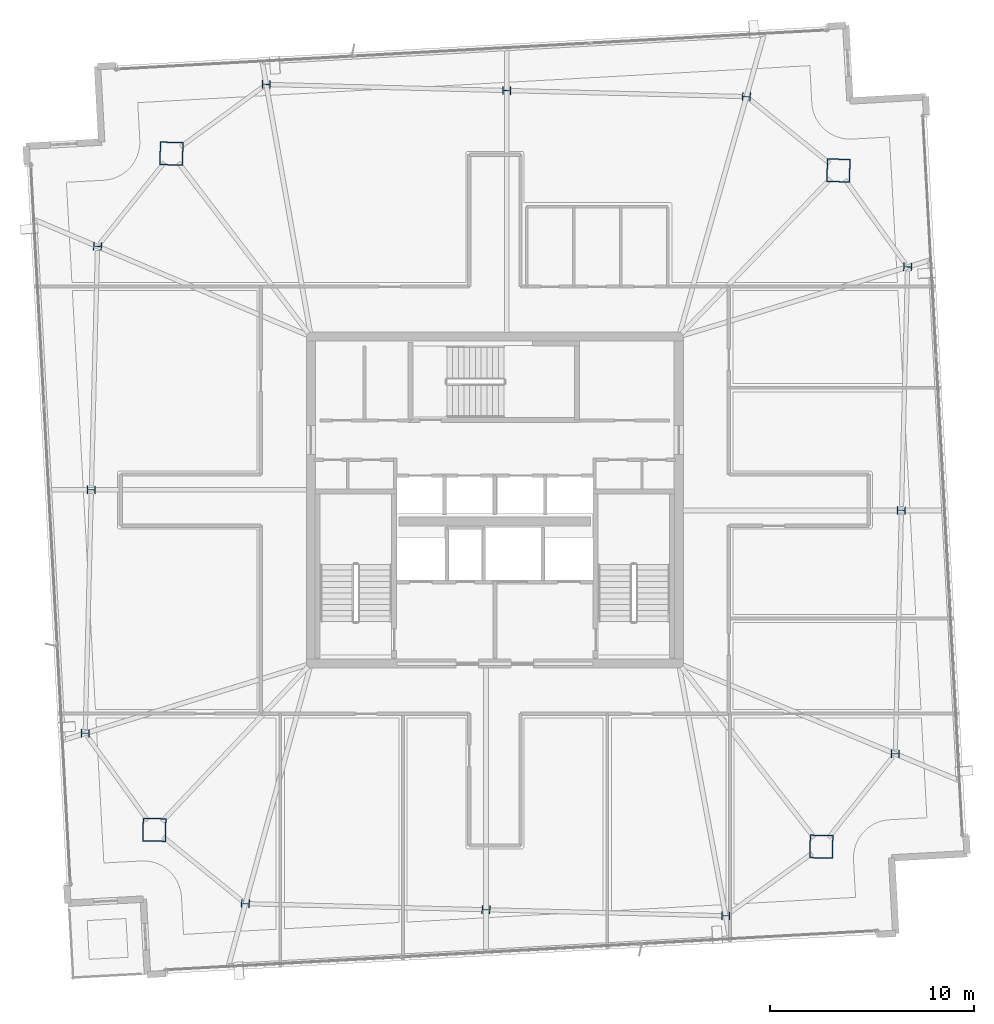
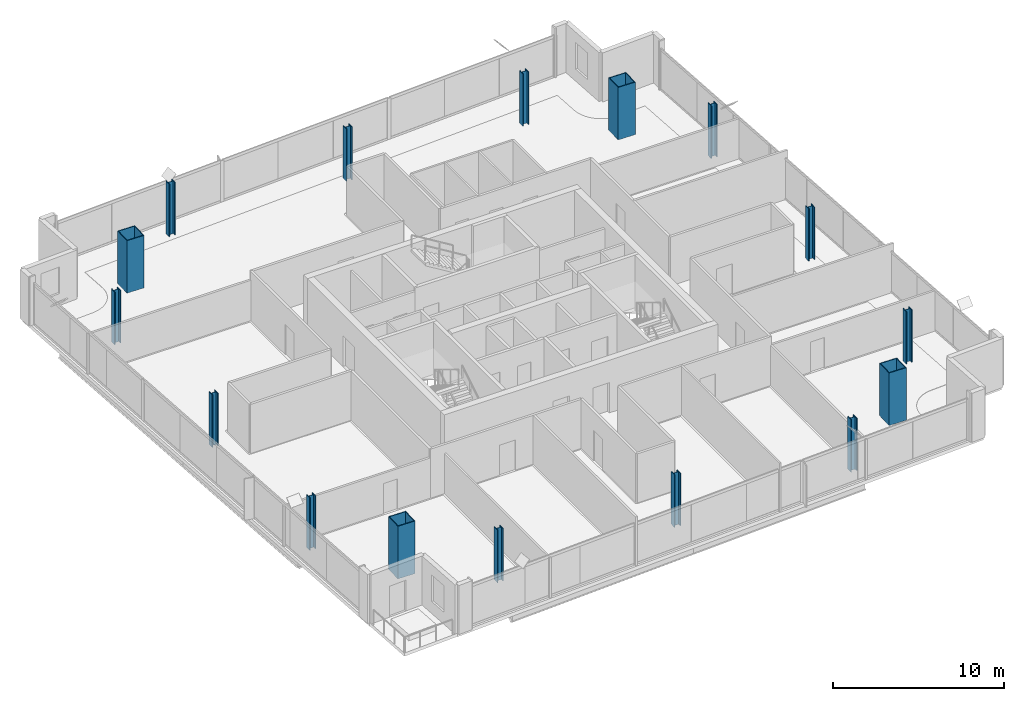
# One storey, part 1 of 23: 16 columns.
"""IFC4 building model written with IfcOpenShell, lengths in metres."""

import ifcopenshell
import ifcopenshell.guid

model = None  # the IFC model being written
_history = None  # IfcOwnerHistory: only IFC2X3 demands one
_inside = {}  # id of a spatial element -> (the spatial element, [elements in it])
_under = {}  # id of a project, library or spatial element -> (it, [spatial elements below it])
_declared = {}  # id of a project -> (the project, [libraries it declares])
_typed = {}  # id of a type object -> (the type object, [elements of that type])
_made_of = {}  # id of a material, layer set ... -> (it, [elements and type objects made of it])


def new_model(schema):
    """Start an empty IFC model of exactly this schema.

    Asked for "IFC4X3", IfcOpenShell would pick the latest addendum, in which some entities
    have other attributes; the version numbers below select the first issue.
    IFC2X3 requires an IfcOwnerHistory on every rooted entity: one is made here for all.
    """
    global model, _history
    if schema == "IFC4X3":
        model = ifcopenshell.file(schema_version=(4, 3, 0, 0))
    else:
        model = ifcopenshell.file(schema=schema)
    _inside.clear()
    _under.clear()
    _declared.clear()
    _typed.clear()
    _made_of.clear()
    _history = None
    if model.schema == "IFC2X3":
        org = make("IfcOrganization", Name="unknown")
        user = make(
            "IfcPersonAndOrganization",
            ThePerson=make("IfcPerson", FamilyName="unknown"),
            TheOrganization=org,
        )
        app = make(
            "IfcApplication",
            ApplicationDeveloper=org,
            Version="unknown",
            ApplicationFullName="unknown",
            ApplicationIdentifier="unknown",
        )
        _history = make(
            "IfcOwnerHistory",
            OwningUser=user,
            OwningApplication=app,
            ChangeAction="ADDED",
            CreationDate=0,
        )
    return model


def make(cls, **values):
    """One entity of the class cls with the attributes given. An attribute that is None is left unset."""
    return model.create_entity(
        cls, **{name: value for name, value in values.items() if value is not None}
    )


def rooted(cls, **values):
    """An entity with a GlobalId (a new one), such as an element, a storey or a relation."""
    return make(cls, GlobalId=ifcopenshell.guid.new(), OwnerHistory=_history, **values)


def si_unit(unit_type, name, prefix=None):
    """IfcSIUnit, for example si_unit("LENGTHUNIT", "METRE", prefix="MILLI")."""
    return make("IfcSIUnit", UnitType=unit_type, Prefix=prefix, Name=name)


def assignment(units):
    """IfcUnitAssignment: the units of a project."""
    return None if units is None else make("IfcUnitAssignment", Units=units)


def point(xyz):
    """IfcCartesianPoint."""
    return None if xyz is None else make("IfcCartesianPoint", Coordinates=xyz)


def direction(xyz):
    """IfcDirection."""
    return None if xyz is None else make("IfcDirection", DirectionRatios=xyz)


def frame(location, z_axis=None, x_axis=None):
    """IfcAxis2Placement3D, a coordinate frame: its origin and axes. An axis left out is left unset."""
    return make(
        "IfcAxis2Placement3D",
        Location=point(location),
        Axis=direction(z_axis),
        RefDirection=direction(x_axis),
    )


def frame_2d(location, x_axis=None):
    """IfcAxis2Placement2D, a coordinate frame in the plane: its origin and x axis."""
    return make(
        "IfcAxis2Placement2D", Location=point(location), RefDirection=direction(x_axis)
    )


def origin():
    """The frame at (0, 0, 0) with its axes left unset."""
    return frame((0.0, 0.0, 0.0))


def origin_2d():
    """The frame at (0, 0) in the plane with its x axis left unset."""
    return frame_2d((0.0, 0.0))


def place(relative_to, where):
    """IfcLocalPlacement: puts the frame where relative to a parent placement (None: the world)."""
    return make(
        "IfcLocalPlacement", PlacementRelTo=relative_to, RelativePlacement=where
    )


def context(
    kind, dimensions, precision=None, world=None, true_north=None, identifier=None
):
    """IfcGeometricRepresentationContext, for example the 3D "Model" context."""
    return make(
        "IfcGeometricRepresentationContext",
        ContextIdentifier=identifier,
        ContextType=kind,
        CoordinateSpaceDimension=dimensions,
        Precision=precision,
        WorldCoordinateSystem=world,
        TrueNorth=true_north,
    )


def subcontext(parent, identifier, kind, view, scale=None):
    """IfcGeometricRepresentationSubContext, for example "Body" below "Model"."""
    return make(
        "IfcGeometricRepresentationSubContext",
        ContextIdentifier=identifier,
        ContextType=kind,
        ParentContext=parent,
        TargetScale=scale,
        TargetView=view,
    )


def project(units=None, contexts=None):
    """IfcProject with its units and contexts."""
    return rooted(
        "IfcProject",
        Name="project",
        RepresentationContexts=contexts,
        UnitsInContext=assignment(units),
    )


def spatial(cls, under=None, at=None, **own):
    """A site, building, storey or space (cls), placed at a placement, below another one or the project."""
    s = rooted(cls, ObjectPlacement=at, **own)
    if under is not None:
        _under.setdefault(under.id(), (under, []))[1].append(s)
    return s


def profile(cls, at=None, kind="AREA", **sizes):
    """A parametric profile (cls). Its sizes go by their IFC names, for example OverallWidth=200.0."""
    return make(cls, ProfileType=kind, Position=at, **sizes)


def hollow_rectangle(**sizes):
    """IfcRectangleHollowProfileDef."""
    return profile("IfcRectangleHollowProfileDef", **sizes)


def i_section(**sizes):
    """IfcIShapeProfileDef."""
    return profile("IfcIShapeProfileDef", **sizes)


def extrude(swept, where, along, depth):
    """IfcExtrudedAreaSolid: the profile swept, set in the frame where, extruded along a direction by depth."""
    return make(
        "IfcExtrudedAreaSolid",
        SweptArea=swept,
        Position=where,
        ExtrudedDirection=direction(along),
        Depth=depth,
    )


def shape(context_of_items, identifier, shape_type, items):
    """IfcShapeRepresentation: the items that make up one representation, for example the "Body"."""
    return make(
        "IfcShapeRepresentation",
        ContextOfItems=context_of_items,
        RepresentationIdentifier=identifier,
        RepresentationType=shape_type,
        Items=items,
    )


def material(Name=None, Category=None):
    """IfcMaterial."""
    return make("IfcMaterial", Name=Name, Category=Category)


def material_profile(
    of_material, cross_section, Name=None, Category=None, Priority=None
):
    """IfcMaterialProfile: a cross section and its material."""
    return make(
        "IfcMaterialProfile",
        Name=Name,
        Material=of_material,
        Profile=cross_section,
        Priority=Priority,
        Category=Category,
    )


def profile_set(profiles, Name=None, composite=None):
    """IfcMaterialProfileSet."""
    return make(
        "IfcMaterialProfileSet",
        Name=Name,
        MaterialProfiles=profiles,
        CompositeProfile=composite,
    )


def made_of(thing, what):
    """Note that an element or type object is made of a material, layer set ...; save() writes the relation."""
    if what is not None:
        _made_of.setdefault(what.id(), (what, []))[1].append(thing)
    return thing


def type_object(cls, material=None, **own):
    """A type object (cls), such as IfcWallType, which elements share."""
    return made_of(rooted(cls, **own), material)


def element(
    cls,
    number,
    at=None,
    inside=None,
    cuts=None,
    type_object=None,
    material=None,
    context=None,
    identifier="Body",
    shape_type=None,
    held_by="IfcProductDefinitionShape",
    body=None,
    shapes=None,
    **own,
):
    """One element of the class cls, such as IfcWall. Its Tag is "e" and its number.

    at: its placement. inside: the storey or other place that contains it. cuts: it is an
    opening in that element (IfcRelVoidsElement). A single representation is given by context,
    identifier, shape_type and body (its items); several are given by shapes. held_by: the class
    of the entity that holds the representations. save() writes the other relations.
    """
    e = rooted(cls, Tag="e%d" % number, ObjectPlacement=at, **own)
    if body is not None:
        shapes = [shape(context, identifier, shape_type, body)]
    if shapes is not None:
        e.Representation = make(held_by, Representations=shapes)
    if inside is not None:
        _inside.setdefault(inside.id(), (inside, []))[1].append(e)
    if cuts is not None:
        rooted(
            "IfcRelVoidsElement", RelatingBuildingElement=cuts, RelatedOpeningElement=e
        )
    if type_object is not None:
        _typed.setdefault(type_object.id(), (type_object, []))[1].append(e)
    return made_of(e, material)


def aggregate(whole, parts):
    """IfcRelAggregates: a whole, such as a stair, and the parts it consists of."""
    return rooted("IfcRelAggregates", RelatingObject=whole, RelatedObjects=parts)


def save(model, path):
    """Write the relations noted so far, then the file.

    IfcRelAggregates (storeys below a building ...), IfcRelContainedInSpatialStructure (elements
    in a storey), IfcRelDefinesByType, IfcRelAssociatesMaterial and IfcRelDeclares: one each for
    every whole, place, type object, material and project.
    """
    for whole, parts in _under.values():
        aggregate(whole, parts)
    for where, things in _inside.values():
        rooted(
            "IfcRelContainedInSpatialStructure",
            RelatedElements=things,
            RelatingStructure=where,
        )
    for kind, things in _typed.values():
        rooted("IfcRelDefinesByType", RelatedObjects=things, RelatingType=kind)
    for what, things in _made_of.values():
        rooted("IfcRelAssociatesMaterial", RelatedObjects=things, RelatingMaterial=what)
    for by, libraries in _declared.values():
        rooted("IfcRelDeclares", RelatingContext=by, RelatedDefinitions=libraries)
    model.write(path)


model = new_model("IFC4")

# Units and contexts
model_context = context("Model", 3, precision=1e-05, world=origin(), true_north=direction((0.0, 1.0)))
body_context = subcontext(model_context, "Body", "Model", "MODEL_VIEW")
ifc_project = project(units=[si_unit("LENGTHUNIT", "METRE"), si_unit("AREAUNIT", "SQUARE_METRE"), si_unit("VOLUMEUNIT", "CUBIC_METRE"), si_unit("PLANEANGLEUNIT", "RADIAN"), si_unit("MASSUNIT", "GRAM", prefix="KILO")], contexts=[model_context])

# Site, building, storey
site_placement = place(None, origin())
site = spatial("IfcSite", under=ifc_project, at=site_placement, CompositionType="ELEMENT")
building_placement = place(site_placement, origin())
building = spatial("IfcBuilding", under=site, at=building_placement, Name="Haldenkirk Collegiate Tower", CompositionType="ELEMENT")
storey_placement = place(building_placement, frame((0.0, 0.0, 340.199951171875)))
storey = spatial("IfcBuildingStorey", under=building, at=storey_placement, Name="L86", CompositionType="ELEMENT", Elevation=340.199951171875)

# Columns
ifc_material_1 = material(Name="Steel ASTM A913 Grade 65", Category="steel")
ifc_material_profile_1 = material_profile(ifc_material_1, i_section(OverallWidth=0.406005859375, OverallDepth=0.416015625, WebThickness=0.02978515625, FlangeThickness=0.048095703125, at=origin_2d()), Name="W14X257")
ifc_profile_set_1 = profile_set([ifc_material_profile_1], Name="Steel ASTM A913 Grade 65")
column_type_1 = type_object("IfcColumnType", Name="COL-INT-W14X257", PredefinedType="COLUMN", material=ifc_profile_set_1)
for number, where, z_axis, x_axis, name in (
    (1, (55.592041015625, 13.584228515625, 0.0), (0.0, 0.0, 1.0), (0.025304572866, 0.999679788028, 0.0), "L86 perimeter gravity column PC-S1"),
    (2, (55.8935546875, 25.496337890625, 0.0), (0.0, 0.0, 1.0), (0.025304572866, 0.999679788028, 0.0), "L86 perimeter gravity column PC-S2"),
    (3, (56.1953125, 37.40869140625, 0.0), (0.0, 0.0, 1.0), (0.025304572866, 0.999679788028, 0.0), "L86 perimeter gravity column PC-S3"),
    (4, (48.3115234375, 45.744873046875, 0.0), (0.0, 0.0, 1.0), (0.025304572866, 0.999679788028, 0.0), "L86 perimeter gravity column PC-E1"),
    (5, (36.582275390625, 46.041748046875, 0.0), (0.0, 0.0, 1.0), (0.025304572866, 0.999679788028, 0.0), "L86 perimeter gravity column PC-E2"),
    (6, (24.81103515625, 46.339599609375, 0.0), (0.0, 0.0, 1.0), (0.025304572866, 0.999679788028, 0.0), "L86 perimeter gravity column PC-E3"),
    (7, (16.557861328125, 38.411865234375, 0.0), (0.0, 0.0, 1.0), (0.025304572866, 0.999679788028, 0.0), "L86 perimeter gravity column PC-N1"),
    (8, (16.25634765625, 26.499755859375, 0.0), (0.0, 0.0, 1.0), (0.025304572866, 0.999679788028, 0.0), "L86 perimeter gravity column PC-N2"),
    (9, (15.954833984375, 14.587646484375, 0.0), (0.0, 0.0, 1.0), (0.025304572866, 0.999679788028, 0.0), "L86 perimeter gravity column PC-N3"),
    (10, (23.79638671875, 6.25244140625, 0.0), (0.0, 0.0, 1.0), (0.025304572866, 0.999679788028, 0.0), "L86 perimeter gravity column PC-W1"),
    (11, (35.567626953125, 5.95458984375, 0.0), (0.0, 0.0, 1.0), (0.025304572866, 0.999679788028, 0.0), "L86 perimeter gravity column PC-W2"),
    (12, (47.296875, 5.65771484375, 0.0), (0.0, 0.0, 1.0), (0.025304572866, 0.999679788028, 0.0), "L86 perimeter gravity column PC-W3"),
):
    element("IfcColumn", number, at=place(storey_placement, frame(where, z_axis=z_axis, x_axis=x_axis)), inside=storey, type_object=column_type_1, Name=name, PredefinedType="COLUMN", context=body_context, shape_type="SweptSolid", body=[
        extrude(i_section(OverallWidth=0.406005859375, OverallDepth=0.416015625, WebThickness=0.02978515625, FlangeThickness=0.048095703125, at=origin_2d()), origin(), (0.0, 0.0, 1.0), 3.75),
    ])
ifc_material_2 = material(Name="Steel ASTM A572 Grade 50", Category="steel")
ifc_material_profile_2 = material_profile(ifc_material_2, hollow_rectangle(XDim=1.14990234375, YDim=1.14990234375, WallThickness=0.050048828125, at=origin_2d()), Name="BOX1150X1150X50")
ifc_profile_set_2 = profile_set([ifc_material_profile_2], Name="Steel ASTM A572 Grade 50")
column_type_2 = type_object("IfcColumnType", Name="COL-MEGA-BOX1150X1150X50", PredefinedType="COLUMN", material=ifc_profile_set_2)
for number, where, z_axis, x_axis, name in (
    (13, (51.97607421875, 9.040283203125, 0.0), (0.0, 0.0, 1.0), (0.025304572866, 0.999679788028, 0.0), "L86 corner mega-column MC1"),
    (14, (52.8134765625, 42.129638671875, 0.0), (0.0, 0.0, 1.0), (0.025304572866, 0.999679788028, 0.0), "L86 corner mega-column MC2"),
    (15, (20.174072265625, 42.955810546875, 0.0), (0.0, 0.0, 1.0), (0.025304572866, 0.999679788028, 0.0), "L86 corner mega-column MC3"),
    (16, (19.33642578125, 9.866455078125, 0.0), (0.0, 0.0, 1.0), (0.025304572866, 0.999679788028, 0.0), "L86 corner mega-column MC4"),
):
    element("IfcColumn", number, at=place(storey_placement, frame(where, z_axis=z_axis, x_axis=x_axis)), inside=storey, type_object=column_type_2, Name=name, PredefinedType="COLUMN", context=body_context, shape_type="SweptSolid", body=[
        extrude(hollow_rectangle(XDim=1.14990234375, YDim=1.14990234375, WallThickness=0.050048828125, at=origin_2d()), origin(), (0.0, 0.0, 1.0), 3.75),
    ])

save(model, "model.ifc")
